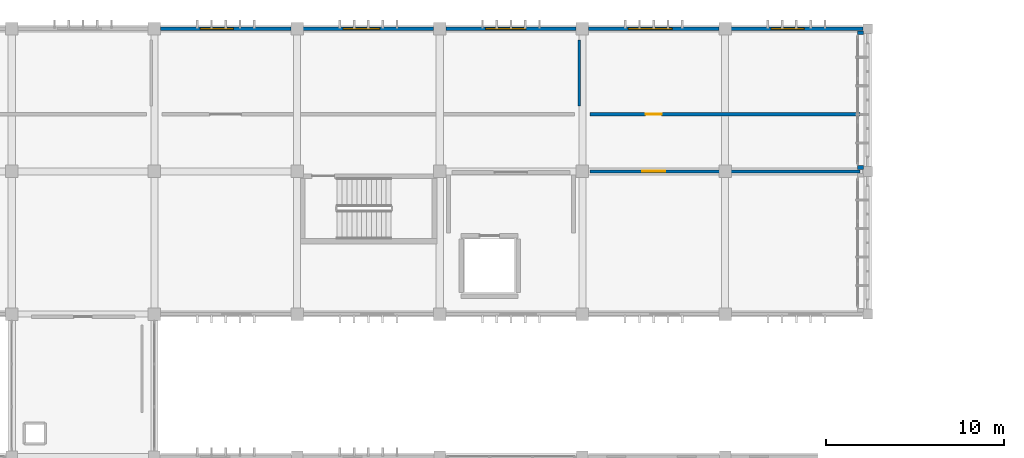
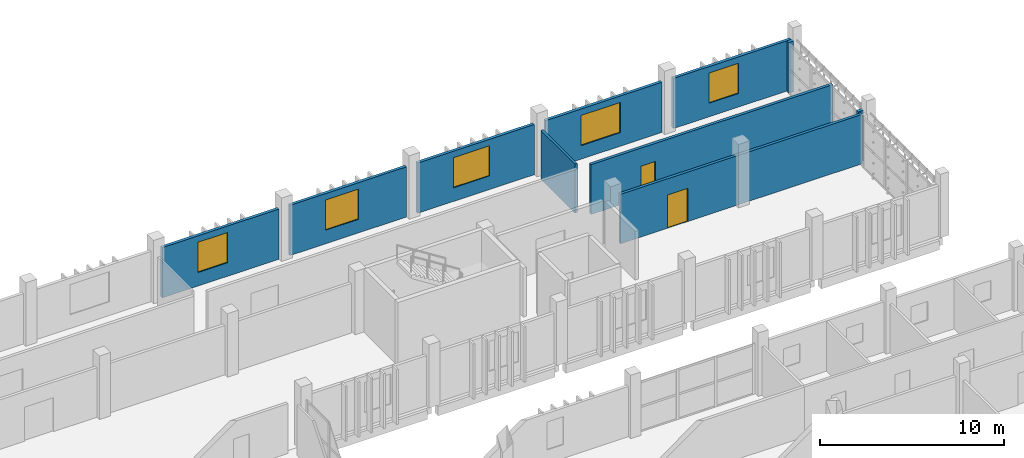
# One storey, part 74 of 83: 10 walls, 5 windows, 2 doors, 7 openings.
"""IFC4 building model written with IfcOpenShell, lengths in metres."""

from ifc_helpers import new_model, si_unit, direction, frame, frame_2d, origin, place, context, subcontext, project, spatial, rectangle, extrude, material, layer, layer_set, type_object, element, fill, save


model = new_model("IFC4")

# Units and contexts
model_context = context("Model", 3, precision=1e-05, world=origin(), true_north=direction((0.0, 1.0)))
body_context = subcontext(model_context, "Body", "Model", "MODEL_VIEW")
ifc_project = project(units=[si_unit("LENGTHUNIT", "METRE"), si_unit("AREAUNIT", "SQUARE_METRE"), si_unit("VOLUMEUNIT", "CUBIC_METRE"), si_unit("PLANEANGLEUNIT", "RADIAN"), si_unit("MASSUNIT", "GRAM", prefix="KILO")], contexts=[model_context])

# Site, building, storey
site_placement = place(None, origin())
site = spatial("IfcSite", under=ifc_project, at=site_placement, CompositionType="ELEMENT")
building_placement = place(site_placement, origin())
building = spatial("IfcBuilding", under=site, at=building_placement, Name="Jelvoka-Kovrelna Polytechnic", CompositionType="ELEMENT")
storey_placement = place(building_placement, frame((0.0, 0.0, 13.800048828125)))
storey = spatial("IfcBuildingStorey", under=building, at=storey_placement, Name="L04", CompositionType="ELEMENT", Elevation=13.800048828125)

# Wall, opening, door
ifc_material_1 = material(Name="Autoclaved aerated concrete blockwork", Category="masonry")
ifc_layer_1 = layer(ifc_material_1, 0.179931640625)
ifc_layer_set_1 = layer_set([ifc_layer_1], Name="Autoclaved aerated concrete blockwork")
wall_type_1 = type_object("IfcWallType", Name="Wall_Corridor_180", PredefinedType="PARTITIONING", material=ifc_layer_set_1)
wall_1_placement = place(storey_placement, frame((176.429931640625, 64.0, 0.0), z_axis=(0.0, 0.0, 1.0), x_axis=(1.0, 0.0, 0.0)))
wall_1 = element("IfcWall", 1, at=wall_1_placement, inside=storey, type_object=wall_type_1, Name="L04 interior wall 1140", PredefinedType="PARTITIONING", context=body_context, shape_type="SweptSolid", body=[
    extrude(rectangle(XDim=15.14013671875, YDim=0.179931640625, at=frame_2d((7.570068359375, 0.0))), origin(), (0.0, 0.0, 1.0), 3.27490234375),
])
opening_1_placement = place(wall_1_placement, frame((2.929931640625, 0.0, 0.0)))
opening_1 = element("IfcOpeningElement", 2, at=opening_1_placement, cuts=wall_1, Name="Opening D-L04-354", PredefinedType="OPENING", context=body_context, shape_type="SweptSolid", body=[
    extrude(rectangle(XDim=1.280029296875, YDim=2.199951171875, at=frame_2d((0.64013671875, 1.10009765625))), frame((0.0, 0.099853515625, 0.0), z_axis=(0.0, -1.0, 0.0), x_axis=(1.0, 0.0, 0.0)), (0.0, 0.0, 1.0), 0.199951171875),
])
ifc_material_2 = material(Name="Studio wide leaf door", Category="wood")
door_type_1 = type_object("IfcDoorType", Name="Door_Int_D14", OperationType="NOTDEFINED", PredefinedType="DOOR", material=ifc_material_2)
door_1_placement = place(opening_1_placement, origin())
door_1 = element("IfcDoor", 3, at=door_1_placement, inside=storey, type_object=door_type_1, Name="L04 interior door D-L04-354", OperationType="SINGLE_SWING_RIGHT", OverallHeight=2.199951171875, OverallWidth=1.280029296875, PredefinedType="DOOR", context=body_context, shape_type="SweptSolid", body=[
    extrude(rectangle(XDim=1.280029296875, YDim=2.199951171875, at=frame_2d((0.64013671875, 1.10009765625))), frame((0.0, 0.02490234375, 0.0), z_axis=(0.0, -1.0, 0.0), x_axis=(1.0, 0.0, 0.0)), (0.0, 0.0, 1.0), 0.050048828125),
])
fill(opening_1, door_1)

wall_2_placement = place(storey_placement, frame((176.429931640625, 67.199951171875, 0.0), z_axis=(0.0, 0.0, 1.0), x_axis=(1.0, 0.0, 0.0)))
wall_2 = element("IfcWall", 4, at=wall_2_placement, inside=storey, type_object=wall_type_1, Name="L04 interior wall 1150", PredefinedType="PARTITIONING", context=body_context, shape_type="SweptSolid", body=[
    extrude(rectangle(XDim=15.14013671875, YDim=0.179931640625, at=frame_2d((7.570068359375, 0.0))), origin(), (0.0, 0.0, 1.0), 3.300048828125),
])
opening_2_placement = place(wall_2_placement, frame((3.1201171875, 0.0, 0.0)))
opening_2 = element("IfcOpeningElement", 5, at=opening_2_placement, cuts=wall_2, Name="Opening D-L04-360", PredefinedType="OPENING", context=body_context, shape_type="SweptSolid", body=[
    extrude(rectangle(XDim=0.89990234375, YDim=2.10009765625, at=frame_2d((0.449951171875, 1.050048828125))), frame((0.0, 0.099853515625, 0.0), z_axis=(0.0, -1.0, 0.0), x_axis=(1.0, 0.0, 0.0)), (0.0, 0.0, 1.0), 0.199951171875),
])
ifc_material_3 = material(Name="Hardwood solid-core door", Category="wood")
door_type_2 = type_object("IfcDoorType", Name="Door_Int_D01", OperationType="NOTDEFINED", PredefinedType="DOOR", material=ifc_material_3)
door_2_placement = place(opening_2_placement, origin())
door_2 = element("IfcDoor", 6, at=door_2_placement, inside=storey, type_object=door_type_2, Name="L04 interior door D-L04-360", OperationType="SINGLE_SWING_LEFT", OverallHeight=2.10009765625, OverallWidth=0.89990234375, PredefinedType="DOOR", context=body_context, shape_type="SweptSolid", body=[
    extrude(rectangle(XDim=0.89990234375, YDim=2.10009765625, at=frame_2d((0.449951171875, 1.050048828125))), frame((0.0, 0.02490234375, 0.0), z_axis=(0.0, -1.0, 0.0), x_axis=(1.0, 0.0, 0.0)), (0.0, 0.0, 1.0), 0.050048828125),
])
fill(opening_2, door_2)

# Wall, opening, window
ifc_material_4 = material(Name="Precast concrete C40/50", Category="concrete")
ifc_layer_2 = layer(ifc_material_4, 0.18505859375)
ifc_layer_set_2 = layer_set([ifc_layer_2], Name="Precast concrete C40/50")
wall_type_2 = type_object("IfcWallType", Name="Wall_Ext_White_260", PredefinedType="STANDARD", material=ifc_layer_set_2)
wall_3_placement = place(storey_placement, frame((152.346923828125, 72.0, 0.0), z_axis=(0.0, 0.0, 1.0), x_axis=(1.0, 0.0, 0.0)))
wall_3 = element("IfcWall", 7, at=wall_3_placement, inside=storey, type_object=wall_type_2, Name="L04 exterior wall 0698", PredefinedType="STANDARD", context=body_context, shape_type="SweptSolid", body=[
    extrude(rectangle(XDim=7.30615234375, YDim=0.18505859375, at=frame_2d((3.653076171875, 0.0))), origin(), (0.0, 0.0, 1.0), 3.324951171875),
])
opening_3_placement = place(wall_3_placement, frame((2.23291015625, 0.0, 0.89990234375)))
opening_3 = element("IfcOpeningElement", 8, at=opening_3_placement, cuts=wall_3, Name="Opening W-L04-364", PredefinedType="OPENING", context=body_context, shape_type="SweptSolid", body=[
    extrude(rectangle(XDim=1.85009765625, YDim=2.0, at=frame_2d((0.925048828125, 1.0))), frame((0.0, 0.1025390625, 0.0), z_axis=(0.0, -1.0, 0.0), x_axis=(1.0, 0.0, 0.0)), (0.0, 0.0, 1.0), 0.205078125),
])
ifc_material_5 = material(Name="Thermally broken anodised aluminium and low-e glazing", Category="aluminium")
window_type_1 = type_object("IfcWindowType", Name="Win_Casement_W55", PartitioningType="DOUBLE_PANEL_VERTICAL", PredefinedType="WINDOW", material=ifc_material_5)
window_1_placement = place(opening_3_placement, origin())
window_1 = element("IfcWindow", 9, at=window_1_placement, inside=storey, type_object=window_type_1, Name="L04 aluminium casement window W-L04-364", OverallHeight=2.0, OverallWidth=1.85009765625, PartitioningType="DOUBLE_PANEL_VERTICAL", PredefinedType="WINDOW", context=body_context, shape_type="SweptSolid", body=[
    extrude(rectangle(XDim=1.85009765625, YDim=2.0, at=frame_2d((0.925048828125, 1.0))), frame((0.0, 0.030029296875, 0.0), z_axis=(0.0, -1.0, 0.0), x_axis=(1.0, 0.0, 0.0)), (0.0, 0.0, 1.0), 0.06005859375),
])
fill(opening_3, window_1)

wall_4_placement = place(storey_placement, frame((160.346923828125, 72.0, 0.0), z_axis=(0.0, 0.0, 1.0), x_axis=(1.0, 0.0, 0.0)))
wall_4 = element("IfcWall", 10, at=wall_4_placement, inside=storey, type_object=wall_type_2, Name="L04 exterior wall 0700", PredefinedType="STANDARD", context=body_context, shape_type="SweptSolid", body=[
    extrude(rectangle(XDim=7.30615234375, YDim=0.18505859375, at=frame_2d((3.653076171875, 0.0))), origin(), (0.0, 0.0, 1.0), 3.324951171875),
])
opening_4_placement = place(wall_4_placement, frame((2.23291015625, 0.0, 0.89990234375)))
opening_4 = element("IfcOpeningElement", 11, at=opening_4_placement, cuts=wall_4, Name="Opening W-L04-366", PredefinedType="OPENING", context=body_context, shape_type="SweptSolid", body=[
    extrude(rectangle(XDim=2.050048828125, YDim=2.0, at=frame_2d((1.02490234375, 1.0))), frame((0.0, 0.1025390625, 0.0), z_axis=(0.0, -1.0, 0.0), x_axis=(1.0, 0.0, 0.0)), (0.0, 0.0, 1.0), 0.205078125),
])
ifc_material_6 = material(Name="Thermally broken anodised aluminium and low-e glazing", Category="aluminium")
window_type_2 = type_object("IfcWindowType", Name="Win_Casement_W56", PartitioningType="DOUBLE_PANEL_VERTICAL", PredefinedType="WINDOW", material=ifc_material_6)
window_2_placement = place(opening_4_placement, origin())
window_2 = element("IfcWindow", 12, at=window_2_placement, inside=storey, type_object=window_type_2, Name="L04 aluminium casement window W-L04-366", OverallHeight=2.0, OverallWidth=2.050048828125, PartitioningType="DOUBLE_PANEL_VERTICAL", PredefinedType="WINDOW", context=body_context, shape_type="SweptSolid", body=[
    extrude(rectangle(XDim=2.050048828125, YDim=2.0, at=frame_2d((1.02490234375, 1.0))), frame((0.0, 0.030029296875, 0.0), z_axis=(0.0, -1.0, 0.0), x_axis=(1.0, 0.0, 0.0)), (0.0, 0.0, 1.0), 0.06005859375),
])
fill(opening_4, window_2)

wall_5_placement = place(storey_placement, frame((168.346923828125, 72.0, 0.0), z_axis=(0.0, 0.0, 1.0), x_axis=(1.0, 0.0, 0.0)))
wall_5 = element("IfcWall", 13, at=wall_5_placement, inside=storey, type_object=wall_type_2, Name="L04 exterior wall 0702", PredefinedType="STANDARD", context=body_context, shape_type="SweptSolid", body=[
    extrude(rectangle(XDim=7.30615234375, YDim=0.18505859375, at=frame_2d((3.653076171875, 0.0))), origin(), (0.0, 0.0, 1.0), 3.324951171875),
])
opening_5_placement = place(wall_5_placement, frame((2.23291015625, 0.0, 0.89990234375)))
opening_5 = element("IfcOpeningElement", 14, at=opening_5_placement, cuts=wall_5, Name="Opening W-L04-368", PredefinedType="OPENING", context=body_context, shape_type="SweptSolid", body=[
    extrude(rectangle(XDim=2.25, YDim=2.0, at=frame_2d((1.125, 1.0))), frame((0.0, 0.1025390625, 0.0), z_axis=(0.0, -1.0, 0.0), x_axis=(1.0, 0.0, 0.0)), (0.0, 0.0, 1.0), 0.205078125),
])
ifc_material_7 = material(Name="Thermally broken anodised aluminium and low-e glazing", Category="aluminium")
window_type_3 = type_object("IfcWindowType", Name="Win_Casement_W57", PartitioningType="DOUBLE_PANEL_VERTICAL", PredefinedType="WINDOW", material=ifc_material_7)
window_3_placement = place(opening_5_placement, origin())
window_3 = element("IfcWindow", 15, at=window_3_placement, inside=storey, type_object=window_type_3, Name="L04 aluminium casement window W-L04-368", OverallHeight=2.0, OverallWidth=2.25, PartitioningType="DOUBLE_PANEL_VERTICAL", PredefinedType="WINDOW", context=body_context, shape_type="SweptSolid", body=[
    extrude(rectangle(XDim=2.25, YDim=2.0, at=frame_2d((1.125, 1.0))), frame((0.0, 0.030029296875, 0.0), z_axis=(0.0, -1.0, 0.0), x_axis=(1.0, 0.0, 0.0)), (0.0, 0.0, 1.0), 0.06005859375),
])
fill(opening_5, window_3)

wall_6_placement = place(storey_placement, frame((176.346923828125, 72.0, 0.0), z_axis=(0.0, 0.0, 1.0), x_axis=(1.0, 0.0, 0.0)))
wall_6 = element("IfcWall", 16, at=wall_6_placement, inside=storey, type_object=wall_type_2, Name="L04 exterior wall 0704", PredefinedType="STANDARD", context=body_context, shape_type="SweptSolid", body=[
    extrude(rectangle(XDim=7.30615234375, YDim=0.18505859375, at=frame_2d((3.653076171875, 0.0))), origin(), (0.0, 0.0, 1.0), 3.324951171875),
])
opening_6_placement = place(wall_6_placement, frame((2.23291015625, 0.0, 0.89990234375)))
opening_6 = element("IfcOpeningElement", 17, at=opening_6_placement, cuts=wall_6, Name="Opening W-L04-370", PredefinedType="OPENING", context=body_context, shape_type="SweptSolid", body=[
    extrude(rectangle(XDim=2.449951171875, YDim=2.0, at=frame_2d((1.22509765625, 1.0))), frame((0.0, 0.1025390625, 0.0), z_axis=(0.0, -1.0, 0.0), x_axis=(1.0, 0.0, 0.0)), (0.0, 0.0, 1.0), 0.205078125),
])
ifc_material_8 = material(Name="Thermally broken anodised aluminium and low-e glazing", Category="aluminium")
window_type_4 = type_object("IfcWindowType", Name="Win_Casement_W58", PartitioningType="DOUBLE_PANEL_VERTICAL", PredefinedType="WINDOW", material=ifc_material_8)
window_4_placement = place(opening_6_placement, origin())
window_4 = element("IfcWindow", 18, at=window_4_placement, inside=storey, type_object=window_type_4, Name="L04 aluminium casement window W-L04-370", OverallHeight=2.0, OverallWidth=2.449951171875, PartitioningType="DOUBLE_PANEL_VERTICAL", PredefinedType="WINDOW", context=body_context, shape_type="SweptSolid", body=[
    extrude(rectangle(XDim=2.449951171875, YDim=2.0, at=frame_2d((1.22509765625, 1.0))), frame((0.0, 0.030029296875, 0.0), z_axis=(0.0, -1.0, 0.0), x_axis=(1.0, 0.0, 0.0)), (0.0, 0.0, 1.0), 0.06005859375),
])
fill(opening_6, window_4)

wall_7_placement = place(storey_placement, frame((184.346923828125, 72.0, 0.0), z_axis=(0.0, 0.0, 1.0), x_axis=(1.0, 0.0, 0.0)))
wall_7 = element("IfcWall", 19, at=wall_7_placement, inside=storey, type_object=wall_type_2, Name="L04 exterior wall 0706", PredefinedType="STANDARD", context=body_context, shape_type="SweptSolid", body=[
    extrude(rectangle(XDim=7.381103515625, YDim=0.18505859375, at=frame_2d((3.6904296875, 0.0))), origin(), (0.0, 0.0, 1.0), 3.324951171875),
])
opening_7_placement = place(wall_7_placement, frame((2.23291015625, 0.0, 0.89990234375)))
opening_7 = element("IfcOpeningElement", 20, at=opening_7_placement, cuts=wall_7, Name="Opening W-L04-372", PredefinedType="OPENING", context=body_context, shape_type="SweptSolid", body=[
    extrude(rectangle(XDim=1.85009765625, YDim=2.0, at=frame_2d((0.925048828125, 1.0))), frame((0.0, 0.1025390625, 0.0), z_axis=(0.0, -1.0, 0.0), x_axis=(1.0, 0.0, 0.0)), (0.0, 0.0, 1.0), 0.205078125),
])
window_5_placement = place(opening_7_placement, origin())
window_5 = element("IfcWindow", 21, at=window_5_placement, inside=storey, type_object=window_type_1, Name="L04 aluminium casement window W-L04-372", OverallHeight=2.0, OverallWidth=1.85009765625, PartitioningType="DOUBLE_PANEL_VERTICAL", PredefinedType="WINDOW", context=body_context, shape_type="SweptSolid", body=[
    extrude(rectangle(XDim=1.85009765625, YDim=2.0, at=frame_2d((0.925048828125, 1.0))), frame((0.0, 0.030029296875, 0.0), z_axis=(0.0, -1.0, 0.0), x_axis=(1.0, 0.0, 0.0)), (0.0, 0.0, 1.0), 0.06005859375),
])
fill(opening_7, window_5)

# Walls
ifc_material_9 = material(Name="Precast concrete C40/50", Category="concrete")
ifc_layer_3 = layer(ifc_material_9, 0.199951171875)
ifc_layer_set_3 = layer_set([ifc_layer_3], Name="Precast concrete C40/50")
wall_type_3 = type_object("IfcWallType", Name="Wall_Parapet_200", PredefinedType="PARAPET", material=ifc_layer_set_3)
for number, where, z_axis, x_axis, name in (
    (22, (191.760009765625, 64.219970703125, 0.0), (0.0, 0.0, 1.0), (-1.0, 0.0, 0.0), "L04 exterior wall 0709"),
    (23, (191.760009765625, 71.780029296875, 0.0), (0.0, 0.0, 1.0), (-1.0, 0.0, 0.0), "L04 exterior wall 0710"),
):
    element("IfcWall", number, at=place(storey_placement, frame(where, z_axis=z_axis, x_axis=x_axis)), inside=storey, type_object=wall_type_3, Name=name, PredefinedType="PARAPET", context=body_context, shape_type="SweptSolid", body=[
        extrude(rectangle(XDim=0.320068359375, YDim=0.199951171875, at=frame_2d((0.16015625, 0.0))), origin(), (0.0, 0.0, 1.0), 3.349853515625),
    ])
ifc_material_10 = material(Name="Autoclaved aerated concrete blockwork", Category="masonry")
ifc_layer_4 = layer(ifc_material_10, 0.14990234375)
ifc_layer_set_4 = layer_set([ifc_layer_4], Name="Autoclaved aerated concrete blockwork")
wall_type_4 = type_object("IfcWallType", Name="Wall_Partition_150", PredefinedType="PARTITIONING", material=ifc_layer_set_4)
wall_8_placement = place(storey_placement, frame((175.820068359375, 67.669921875, 0.0), z_axis=(0.0, 0.0, 1.0), x_axis=(0.0, 1.0, 0.0)))
element("IfcWall", 24, at=wall_8_placement, inside=storey, type_object=wall_type_4, Name="L04 interior wall 1149", PredefinedType="PARTITIONING", context=body_context, shape_type="SweptSolid", body=[
    extrude(rectangle(XDim=3.7099609375, YDim=0.14990234375, at=frame_2d((1.85498046875, 0.0))), origin(), (0.0, 0.0, 1.0), 3.224853515625),
])

save(model, "model.ifc")
